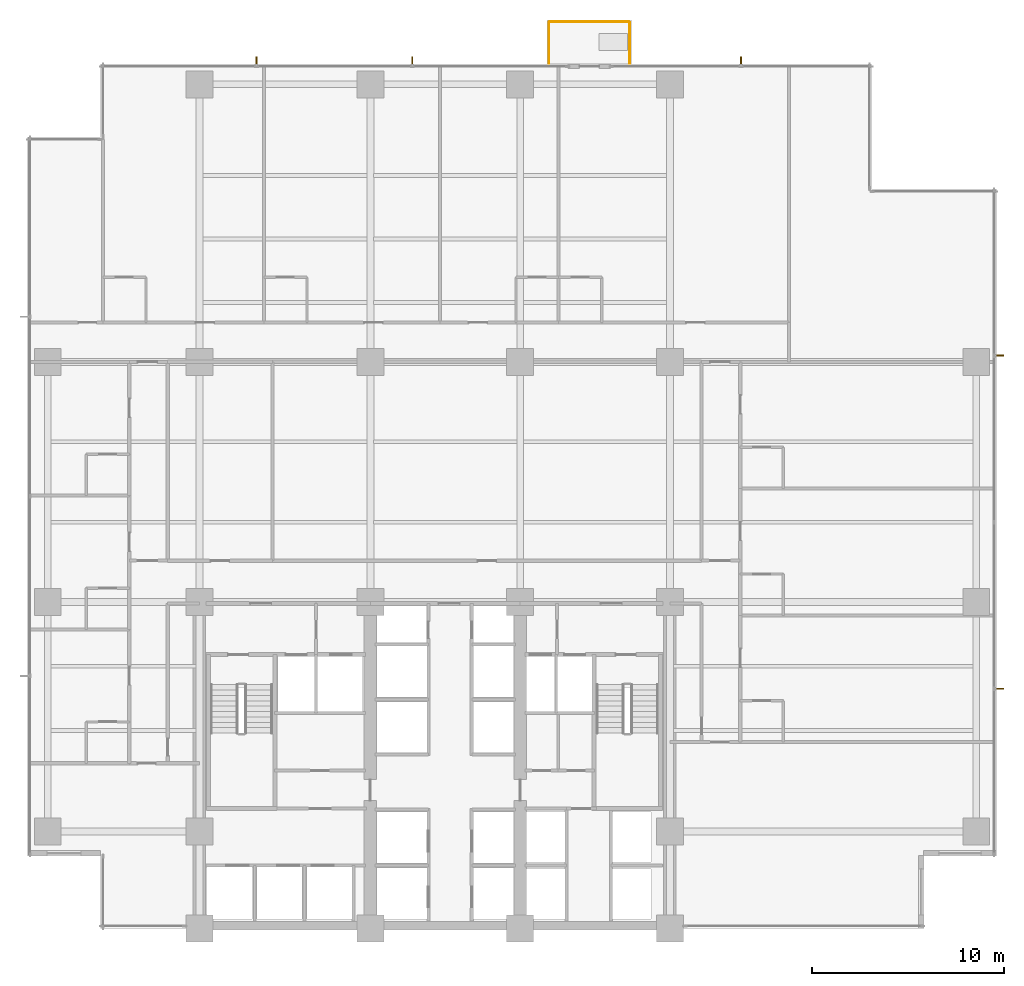
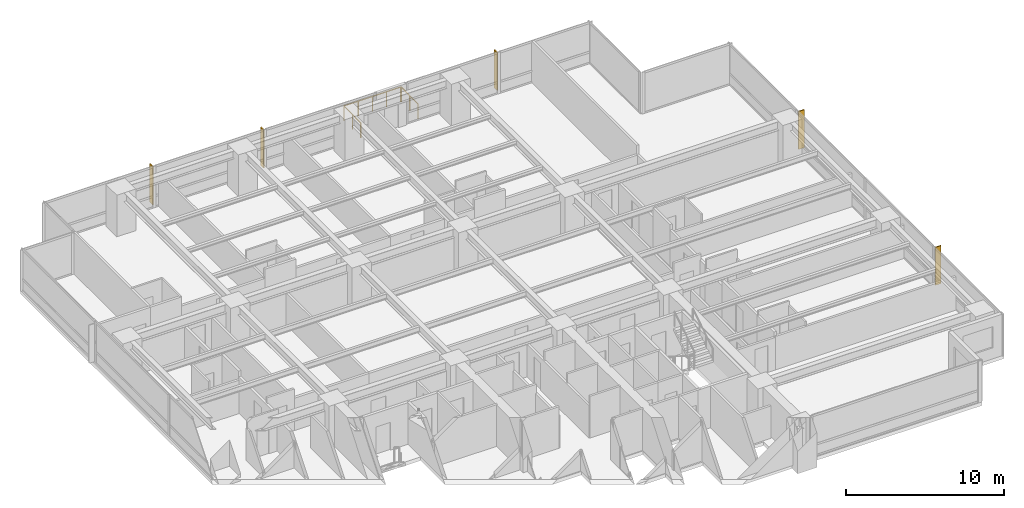
# One storey, part 16 of 16: 5 shading devices, 3 railings.
"""IFC4 building model written with IfcOpenShell, lengths in metres."""

from ifc_helpers import new_model, si_unit, direction, frame, origin, origin_2d, place, context, subcontext, project, spatial, polyline, circle, outline, extrude, material, layer, layer_set, type_object, element, save


model = new_model("IFC4")

# Units and contexts
model_context = context("Model", 3, precision=1e-05, world=origin(), true_north=direction((0.0, 1.0)))
body_context = subcontext(model_context, "Body", "Model", "MODEL_VIEW")
ifc_project = project(units=[si_unit("LENGTHUNIT", "METRE"), si_unit("AREAUNIT", "SQUARE_METRE"), si_unit("VOLUMEUNIT", "CUBIC_METRE"), si_unit("PLANEANGLEUNIT", "RADIAN"), si_unit("MASSUNIT", "GRAM", prefix="KILO")], contexts=[model_context])

# Site, building, storey
site_placement = place(None, origin())
site = spatial("IfcSite", under=ifc_project, at=site_placement, CompositionType="ELEMENT")
building_placement = place(site_placement, origin())
building = spatial("IfcBuilding", under=site, at=building_placement, Name="Qalmaran Belvedere Hotel", CompositionType="ELEMENT")
storey_placement = place(building_placement, frame((0.0, 0.0, 64.89990234375)))
storey = spatial("IfcBuildingStorey", under=building, at=storey_placement, Name="L16", CompositionType="ELEMENT", Elevation=64.89990234375)

# Shading devices
ifc_material = material(Name="Anodised Bronze Aluminium", Category="aluminium")
ifc_layer = layer(ifc_material, 0.06494140625, Name="Anodised Bronze Aluminium")
ifc_layer_set = layer_set([ifc_layer], Name="Anodised Bronze Aluminium")
shading_device_type = type_object("IfcShadingDeviceType", Name="FIN-BRNZ-420", PredefinedType="USERDEFINED", material=ifc_layer_set)
shading_device_1_placement = place(storey_placement, frame((0.0, 0.0, 0.16015625)))
element("IfcShadingDevice", 1, at=shading_device_1_placement, inside=storey, type_object=shading_device_type, Name="L16 Bronze Fin 1", ObjectType="FIN", PredefinedType="USERDEFINED", context=body_context, shape_type="SweptSolid", body=[
    extrude(outline(polyline([(61.7724609375, 15.9423828125), (62.1923828125, 15.9423828125), (62.1923828125, 16.007568359375), (61.7724609375, 16.007568359375), (61.7724609375, 15.9423828125)])), origin(), (0.0, 0.0, 1.0), 2.93994140625),
])
shading_device_2_placement = place(storey_placement, frame((0.0, 0.0, 0.16015625)))
element("IfcShadingDevice", 2, at=shading_device_2_placement, inside=storey, type_object=shading_device_type, Name="L16 Bronze Fin 3", ObjectType="FIN", PredefinedType="USERDEFINED", context=body_context, shape_type="SweptSolid", body=[
    extrude(outline(polyline([(61.7724609375, 33.29248046875), (62.1923828125, 33.29248046875), (62.1923828125, 33.357421875), (61.7724609375, 33.357421875), (61.7724609375, 33.29248046875)])), origin(), (0.0, 0.0, 1.0), 2.93994140625),
])
shading_device_3_placement = place(storey_placement, frame((0.0, 0.0, 0.16015625)))
element("IfcShadingDevice", 3, at=shading_device_3_placement, inside=storey, type_object=shading_device_type, Name="L16 Bronze Fin 1", ObjectType="FIN", PredefinedType="USERDEFINED", context=body_context, shape_type="SweptSolid", body=[
    extrude(outline(polyline([(31.415771484375, 48.472412109375), (31.415771484375, 48.892578125), (31.350830078125, 48.892578125), (31.350830078125, 48.472412109375), (31.415771484375, 48.472412109375)])), origin(), (0.0, 0.0, 1.0), 2.93994140625),
])
shading_device_4_placement = place(storey_placement, frame((0.0, 0.0, 0.16015625)))
element("IfcShadingDevice", 4, at=shading_device_4_placement, inside=storey, type_object=shading_device_type, Name="L16 Bronze Fin 2", ObjectType="FIN", PredefinedType="USERDEFINED", context=body_context, shape_type="SweptSolid", body=[
    extrude(outline(polyline([(23.29931640625, 48.472412109375), (23.29931640625, 48.892578125), (23.234130859375, 48.892578125), (23.234130859375, 48.472412109375), (23.29931640625, 48.472412109375)])), origin(), (0.0, 0.0, 1.0), 2.93994140625),
])
shading_device_5_placement = place(storey_placement, frame((0.0, 0.0, 0.16015625)))
element("IfcShadingDevice", 5, at=shading_device_5_placement, inside=storey, type_object=shading_device_type, Name="L16 Bronze Fin 1", ObjectType="FIN", PredefinedType="USERDEFINED", context=body_context, shape_type="SweptSolid", body=[
    extrude(outline(polyline([(48.532470703125, 48.472412109375), (48.532470703125, 48.892578125), (48.467529296875, 48.892578125), (48.467529296875, 48.472412109375), (48.532470703125, 48.472412109375)])), origin(), (0.0, 0.0, 1.0), 2.93994140625),
])

# Railings
railing_type = type_object("IfcRailingType", Name="GRD-BAL-1150", PredefinedType="BALUSTRADE", material=ifc_material)
railing_1_placement = place(storey_placement, frame((38.5, 48.534912109375, 0.0)))
element("IfcRailing", 6, at=railing_1_placement, inside=storey, type_object=railing_type, Name="L16 Guardrail BAL-L16-N-1", PredefinedType="BALUSTRADE", context=body_context, shape_type="SweptSolid", body=[
    extrude(circle(Radius=0.02392578125, at=origin_2d()), frame((0.0, 0.0, 1.1259765625), z_axis=(0.0, 1.0, 0.0), x_axis=(-1.0, 0.0, 0.0)), (0.0, 0.0, 1.0), 2.130126953125),
    extrude(circle(Radius=0.02099609375, at=origin_2d()), origin(), (0.0, 0.0, 1.0), 1.101806640625),
    extrude(circle(Radius=0.02099609375, at=origin_2d()), frame((0.0, 1.06494140625, 0.0)), (0.0, 0.0, 1.0), 1.101806640625),
    extrude(circle(Radius=0.02099609375, at=origin_2d()), frame((0.0, 2.130126953125, 0.0)), (0.0, 0.0, 1.0), 1.101806640625),
])
railing_2_placement = place(storey_placement, frame((38.534912109375, 50.699951171875, 0.0)))
element("IfcRailing", 7, at=railing_2_placement, inside=storey, type_object=railing_type, Name="L16 Guardrail BAL-L16-N-2", PredefinedType="BALUSTRADE", context=body_context, shape_type="SweptSolid", body=[
    extrude(circle(Radius=0.02392578125, at=origin_2d()), frame((0.0, 0.0, 1.1259765625), z_axis=(1.0, 0.0, 0.0), x_axis=(0.0, 1.0, 0.0)), (0.0, 0.0, 1.0), 4.130126953125),
    extrude(circle(Radius=0.02099609375, at=origin_2d()), origin(), (0.0, 0.0, 1.0), 1.101806640625),
    extrude(circle(Radius=0.02099609375, at=origin_2d()), frame((1.032470703125, 0.0, 0.0)), (0.0, 0.0, 1.0), 1.101806640625),
    extrude(circle(Radius=0.02099609375, at=origin_2d()), frame((2.06494140625, 0.0, 0.0)), (0.0, 0.0, 1.0), 1.101806640625),
    extrude(circle(Radius=0.02099609375, at=origin_2d()), frame((3.09765625, 0.0, 0.0)), (0.0, 0.0, 1.0), 1.101806640625),
    extrude(circle(Radius=0.02099609375, at=origin_2d()), frame((4.130126953125, 0.0, 0.0)), (0.0, 0.0, 1.0), 1.101806640625),
])
railing_3_placement = place(storey_placement, frame((42.699951171875, 50.6650390625, 0.0)))
element("IfcRailing", 8, at=railing_3_placement, inside=storey, type_object=railing_type, Name="L16 Guardrail BAL-L16-N-3", PredefinedType="BALUSTRADE", context=body_context, shape_type="SweptSolid", body=[
    extrude(circle(Radius=0.02392578125, at=origin_2d()), frame((0.0, 0.0, 1.1259765625), z_axis=(0.0, -1.0, 0.0), x_axis=(1.0, 0.0, 0.0)), (0.0, 0.0, 1.0), 2.130126953125),
    extrude(circle(Radius=0.02099609375, at=origin_2d()), origin(), (0.0, 0.0, 1.0), 1.101806640625),
    extrude(circle(Radius=0.02099609375, at=origin_2d()), frame((0.0, -1.06494140625, 0.0)), (0.0, 0.0, 1.0), 1.101806640625),
    extrude(circle(Radius=0.02099609375, at=origin_2d()), frame((0.0, -2.130126953125, 0.0)), (0.0, 0.0, 1.0), 1.101806640625),
])

save(model, "model.ifc")
